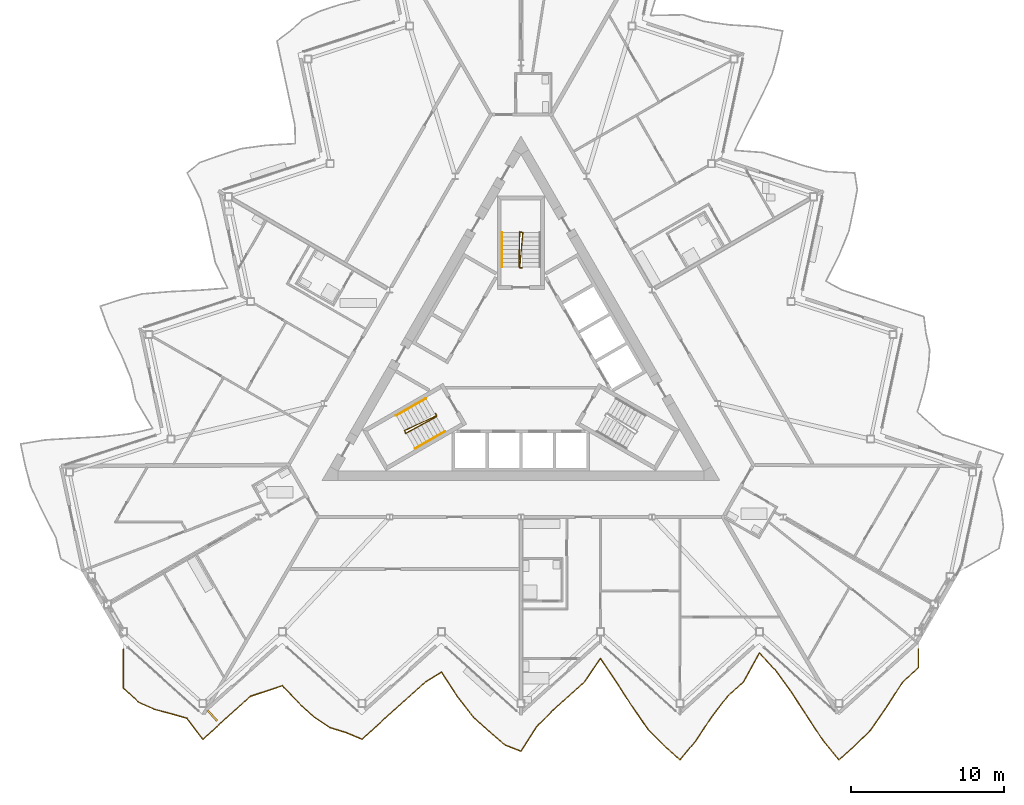
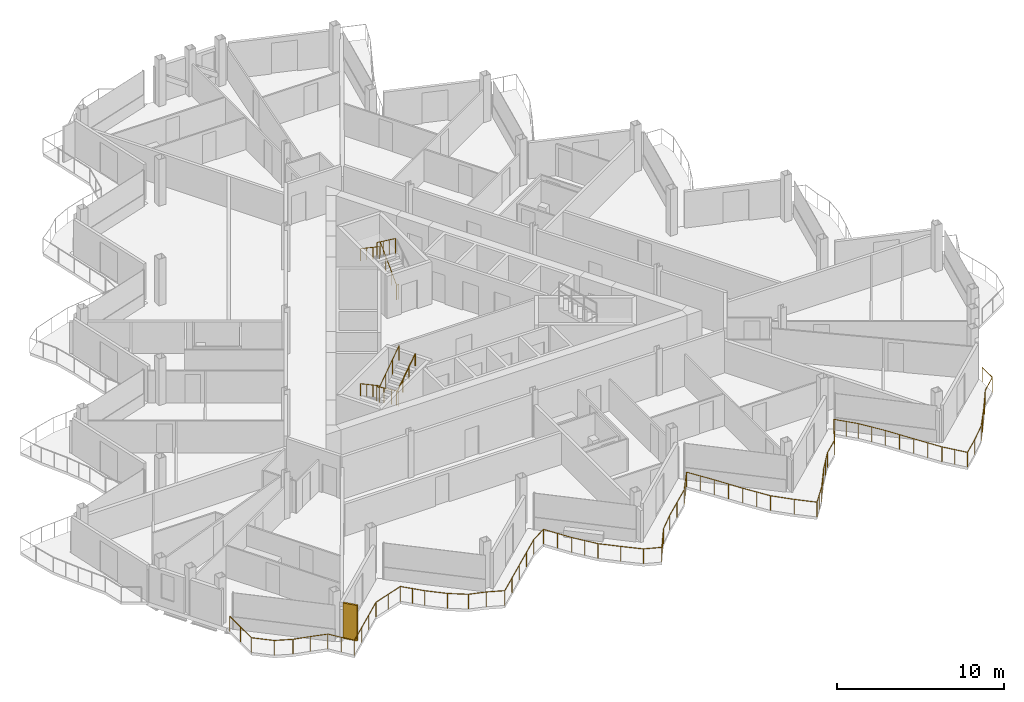
# One storey, part 21 of 26: 6 railings, 1 shading device.
"""IFC4 building model written with IfcOpenShell, lengths in metres."""

from ifc_helpers import new_model, si_unit, direction, frame, origin, origin_2d, place, context, subcontext, project, spatial, rectangle, circle, extrude, material, layer, layer_set, type_object, element, save


model = new_model("IFC4")

# Units and contexts
model_context = context("Model", 3, precision=1e-05, world=origin(), true_north=direction((0.0, 1.0)))
body_context = subcontext(model_context, "Body", "Model", "MODEL_VIEW")
ifc_project = project(units=[si_unit("LENGTHUNIT", "METRE"), si_unit("AREAUNIT", "SQUARE_METRE"), si_unit("VOLUMEUNIT", "CUBIC_METRE"), si_unit("PLANEANGLEUNIT", "RADIAN"), si_unit("MASSUNIT", "GRAM", prefix="KILO")], contexts=[model_context])

# Site, building, storey
site_placement = place(None, origin())
site = spatial("IfcSite", under=ifc_project, at=site_placement, CompositionType="ELEMENT")
building_placement = place(site_placement, origin())
building = spatial("IfcBuilding", under=site, at=building_placement, Name="Cormorant Prow Tower", CompositionType="ELEMENT")
storey_placement = place(building_placement, frame((0.0, 0.0, 367.800048828125)))
storey = spatial("IfcBuildingStorey", under=building, at=storey_placement, Name="L82", CompositionType="ELEMENT", Elevation=367.800048828125)

# Railings
ifc_material_1 = material(Name="Aluminium 6063-T6", Category="aluminium")
railing_type_1 = type_object("IfcRailingType", Name="Balcony guard 1100", PredefinedType="GUARDRAIL", material=ifc_material_1)
railing_1_placement = place(storey_placement, frame((-26.0, -18.537353515625, 0.0)))
element("IfcRailing", 1, at=railing_1_placement, inside=storey, type_object=railing_type_1, Name="Balcony guard S", PredefinedType="GUARDRAIL", context=body_context, shape_type="SweptSolid", body=[
    extrude(circle(Radius=0.02392578125, at=origin_2d()), frame((0.0, 0.0, 1.076171875), z_axis=(0.0, -1.0, 0.0), x_axis=(1.0, 0.0, 0.0)), (0.0, 0.0, 1.0), 2.570068359375),
    extrude(circle(Radius=0.02392578125, at=origin_2d()), frame((0.0, -2.570068359375, 1.076171875), z_axis=(0.743207391022, -0.669061113749, 0.0), x_axis=(0.669061113749, 0.743207391022, 0.0)), (0.0, 0.0, 1.0), 1.3994140625),
    extrude(circle(Radius=0.02392578125, at=origin_2d()), frame((1.0400390625, -3.50634765625, 1.076171875), z_axis=(0.916374427573, -0.400322255801, 0.0), x_axis=(0.400322255801, 0.916374427573, 0.0)), (0.0, 0.0, 1.0), 1.135009765625),
    extrude(circle(Radius=0.02392578125, at=origin_2d()), frame((2.080078125, -3.960693359375, 1.076171875), z_axis=(0.967634155285, -0.252357170545, 0.0), x_axis=(0.252357170545, 0.967634155285, 0.0)), (0.0, 0.0, 1.0), 1.07470703125),
    extrude(circle(Radius=0.02392578125, at=origin_2d()), frame((3.1201171875, -4.23193359375, 1.076171875), z_axis=(0.960857090041, -0.277044495555, 0.0), x_axis=(0.277044495555, 0.960857090041, 0.0)), (0.0, 0.0, 1.0), 1.082275390625),
    extrude(circle(Radius=0.02392578125, at=origin_2d()), frame((4.159912109375, -4.53173828125, 1.076171875), z_axis=(0.604554194416, -0.796564012502, 0.0), x_axis=(0.796564012502, 0.604554194416, 0.0)), (0.0, 0.0, 1.0), 1.720458984375),
    extrude(circle(Radius=0.02392578125, at=origin_2d()), frame((5.199951171875, -5.902099609375, 1.076171875), z_axis=(0.743120643554, 0.66915746213, 0.0), x_axis=(-0.66915746213, 0.743120643554, 0.0)), (0.0, 0.0, 1.0), 1.399658203125),
    extrude(circle(Radius=0.02392578125, at=origin_2d()), frame((6.239990234375, -4.965576171875, 1.076171875), z_axis=(0.743207391022, 0.669061113749, 0.0), x_axis=(-0.669061113749, 0.743207391022, 0.0)), (0.0, 0.0, 1.0), 1.3994140625),
    extrude(circle(Radius=0.02392578125, at=origin_2d()), frame((7.280029296875, -4.029296875, 1.076171875), z_axis=(0.743120643554, 0.66915746213, 0.0), x_axis=(-0.66915746213, 0.743120643554, 0.0)), (0.0, 0.0, 1.0), 1.399658203125),
    extrude(circle(Radius=0.02392578125, at=origin_2d()), frame((8.320068359375, -3.0927734375, 1.076171875), z_axis=(0.948616472905, 0.316428170891, 0.0), x_axis=(-0.316428170891, 0.948616472905, 0.0)), (0.0, 0.0, 1.0), 1.096435546875),
    extrude(circle(Radius=0.02392578125, at=origin_2d()), frame((9.360107421875, -2.745849609375, 1.076171875), z_axis=(0.949394211845, 0.314086979218, 0.0), x_axis=(-0.314086979218, 0.949394211845, 0.0)), (0.0, 0.0, 1.0), 1.09521484375),
    extrude(circle(Radius=0.02392578125, at=origin_2d()), frame((10.39990234375, -2.40185546875, 1.076171875), z_axis=(0.68554538763, -0.728029890526, 0.0), x_axis=(0.728029890526, 0.68554538763, 0.0)), (0.0, 0.0, 1.0), 1.51708984375),
    extrude(circle(Radius=0.02392578125, at=origin_2d()), frame((11.43994140625, -3.50634765625, 1.076171875), z_axis=(0.743120643554, -0.66915746213, 0.0), x_axis=(0.66915746213, 0.743120643554, 0.0)), (0.0, 0.0, 1.0), 1.399658203125),
    extrude(circle(Radius=0.02392578125, at=origin_2d()), frame((12.47998046875, -4.44287109375, 1.076171875), z_axis=(0.829344874262, -0.558737039702, 0.0), x_axis=(0.558737039702, 0.829344874262, 0.0)), (0.0, 0.0, 1.0), 1.254150390625),
    extrude(circle(Radius=0.02392578125, at=origin_2d()), frame((13.52001953125, -5.1435546875, 1.076171875), z_axis=(0.955448650181, -0.295157376441, 0.0), x_axis=(0.295157376441, 0.955448650181, 0.0)), (0.0, 0.0, 1.0), 1.088623046875),
    extrude(circle(Radius=0.02392578125, at=origin_2d()), frame((14.56005859375, -5.46484375, 1.076171875), z_axis=(0.92184298234, -0.387563563702, 0.0), x_axis=(0.387563563702, 0.92184298234, 0.0)), (0.0, 0.0, 1.0), 1.128173828125),
    extrude(circle(Radius=0.02392578125, at=origin_2d()), frame((15.60009765625, -5.902099609375, 1.076171875), z_axis=(0.74304251841, 0.669244212403, 0.0), x_axis=(-0.669244212403, 0.74304251841, 0.0)), (0.0, 0.0, 1.0), 1.3994140625),
    extrude(circle(Radius=0.02392578125, at=origin_2d()), frame((16.639892578125, -4.965576171875, 1.076171875), z_axis=(0.743207391022, 0.669061113749, 0.0), x_axis=(-0.669061113749, 0.743207391022, 0.0)), (0.0, 0.0, 1.0), 1.3994140625),
    extrude(circle(Radius=0.02392578125, at=origin_2d()), frame((17.679931640625, -4.029296875, 1.076171875), z_axis=(0.743120643554, 0.66915746213, 0.0), x_axis=(-0.66915746213, 0.743120643554, 0.0)), (0.0, 0.0, 1.0), 1.399658203125),
    extrude(circle(Radius=0.02392578125, at=origin_2d()), frame((18.719970703125, -3.0927734375, 1.076171875), z_axis=(0.743207391022, 0.669061113749, 0.0), x_axis=(-0.669061113749, 0.743207391022, 0.0)), (0.0, 0.0, 1.0), 1.3994140625),
    extrude(circle(Radius=0.02392578125, at=origin_2d()), frame((19.760009765625, -2.156494140625, 1.076171875), z_axis=(0.850992323879, 0.525178126638, 0.0), x_axis=(-0.525178126638, 0.850992323879, 0.0)), (0.0, 0.0, 1.0), 1.22216796875),
    extrude(circle(Radius=0.02392578125, at=origin_2d()), frame((20.800048828125, -1.5146484375, 1.076171875), z_axis=(0.547384374412, -0.836881321724, 0.0), x_axis=(0.836881321724, 0.547384374412, 0.0)), (0.0, 0.0, 1.0), 1.89990234375),
    extrude(circle(Radius=0.02392578125, at=origin_2d()), frame((21.840087890625, -3.104736328125, 1.076171875), z_axis=(0.613581490625, -0.789631404113, 0.0), x_axis=(0.789631404113, 0.613581490625, 0.0)), (0.0, 0.0, 1.0), 1.694580078125),
    extrude(circle(Radius=0.02392578125, at=origin_2d()), frame((22.8798828125, -4.44287109375, 1.076171875), z_axis=(0.743207391022, -0.669061113749, 0.0), x_axis=(0.669061113749, 0.743207391022, 0.0)), (0.0, 0.0, 1.0), 1.3994140625),
    extrude(circle(Radius=0.02392578125, at=origin_2d()), frame((23.919921875, -5.379150390625, 1.076171875), z_axis=(0.755601290765, -0.655031823192, 0.0), x_axis=(0.655031823192, 0.755601290765, 0.0)), (0.0, 0.0, 1.0), 1.37646484375),
    extrude(circle(Radius=0.02392578125, at=origin_2d()), frame((24.9599609375, -6.28076171875, 1.076171875), z_axis=(0.931610131037, -0.363459163799, 0.0), x_axis=(0.363459163799, 0.931610131037, 0.0)), (0.0, 0.0, 1.0), 1.116455078125),
    extrude(circle(Radius=0.02392578125, at=origin_2d()), frame((26.0, -6.6865234375, 1.076171875), z_axis=(0.54270708982, 0.839922028916, 0.0), x_axis=(-0.839922028916, 0.54270708982, 0.0)), (0.0, 0.0, 1.0), 1.91650390625),
    extrude(circle(Radius=0.02392578125, at=origin_2d()), frame((27.0400390625, -5.076904296875, 1.076171875), z_axis=(0.704538672228, 0.709665596838, 0.0), x_axis=(-0.709665596838, 0.704538672228, 0.0)), (0.0, 0.0, 1.0), 1.476318359375),
    extrude(circle(Radius=0.02392578125, at=origin_2d()), frame((28.080078125, -4.029296875, 1.076171875), z_axis=(0.743120643554, 0.66915746213, 0.0), x_axis=(-0.66915746213, 0.743120643554, 0.0)), (0.0, 0.0, 1.0), 1.399658203125),
    extrude(circle(Radius=0.02392578125, at=origin_2d()), frame((29.1201171875, -3.0927734375, 1.076171875), z_axis=(0.743129279254, 0.669147871786, 0.0), x_axis=(-0.669147871786, 0.743129279254, 0.0)), (0.0, 0.0, 1.0), 1.399169921875),
    extrude(circle(Radius=0.02392578125, at=origin_2d()), frame((30.159912109375, -2.156494140625, 1.076171875), z_axis=(0.563152221861, 0.826353178135, 0.0), x_axis=(-0.826353178135, 0.563152221861, 0.0)), (0.0, 0.0, 1.0), 1.846923828125),
    extrude(circle(Radius=0.02392578125, at=origin_2d()), frame((31.199951171875, -0.63037109375, 1.076171875), z_axis=(0.563152221861, -0.826353178135, 0.0), x_axis=(0.826353178135, 0.563152221861, 0.0)), (0.0, 0.0, 1.0), 1.846923828125),
    extrude(circle(Radius=0.02392578125, at=origin_2d()), frame((32.239990234375, -2.156494140625, 1.076171875), z_axis=(0.541547631663, -0.840670067649, 0.0), x_axis=(0.840670067649, 0.541547631663, 0.0)), (0.0, 0.0, 1.0), 1.92041015625),
    extrude(circle(Radius=0.02392578125, at=origin_2d()), frame((33.280029296875, -3.77099609375, 1.076171875), z_axis=(0.569043261498, -0.822307586334, 0.0), x_axis=(0.822307586334, 0.569043261498, 0.0)), (0.0, 0.0, 1.0), 1.82763671875),
    extrude(circle(Radius=0.02392578125, at=origin_2d()), frame((34.320068359375, -5.27392578125, 1.076171875), z_axis=(0.706526063762, -0.707687022083, 0.0), x_axis=(0.707687022083, 0.706526063762, 0.0)), (0.0, 0.0, 1.0), 1.47216796875),
    extrude(circle(Radius=0.02392578125, at=origin_2d()), frame((35.360107421875, -6.315673828125, 1.076171875), z_axis=(0.743129279254, -0.669147871786, 0.0), x_axis=(0.669147871786, 0.743129279254, 0.0)), (0.0, 0.0, 1.0), 1.399169921875),
    extrude(circle(Radius=0.02392578125, at=origin_2d()), frame((36.39990234375, -7.251953125, 1.076171875), z_axis=(0.641442431964, 0.767171171562, 0.0), x_axis=(-0.767171171562, 0.641442431964, 0.0)), (0.0, 0.0, 1.0), 1.621337890625),
    extrude(circle(Radius=0.02392578125, at=origin_2d()), frame((37.43994140625, -6.008056640625, 1.076171875), z_axis=(0.552065689111, 0.833800620596, 0.0), x_axis=(-0.833800620596, 0.552065689111, 0.0)), (0.0, 0.0, 1.0), 1.8837890625),
    extrude(circle(Radius=0.02392578125, at=origin_2d()), frame((38.47998046875, -4.437255859375, 1.076171875), z_axis=(0.611860282044, 0.790965862258, 0.0), x_axis=(-0.790965862258, 0.611860282044, 0.0)), (0.0, 0.0, 1.0), 1.69970703125),
    extrude(circle(Radius=0.02392578125, at=origin_2d()), frame((39.52001953125, -3.0927734375, 1.076171875), z_axis=(0.743207391022, 0.669061113749, 0.0), x_axis=(-0.669061113749, 0.743207391022, 0.0)), (0.0, 0.0, 1.0), 1.3994140625),
    extrude(circle(Radius=0.02392578125, at=origin_2d()), frame((40.56005859375, -2.156494140625, 1.076171875), z_axis=(0.48280168143, 0.875729716527, 0.0), x_axis=(-0.875729716527, 0.48280168143, 0.0)), (0.0, 0.0, 1.0), 2.154052734375),
    extrude(circle(Radius=0.02392578125, at=origin_2d()), frame((41.60009765625, -0.27001953125, 1.076171875), z_axis=(0.682015798923, -0.73133743923, 0.0), x_axis=(0.73133743923, 0.682015798923, 0.0)), (0.0, 0.0, 1.0), 1.524658203125),
    extrude(circle(Radius=0.02392578125, at=origin_2d()), frame((42.639892578125, -1.385009765625, 1.076171875), z_axis=(0.588073196089, -0.80880771265, 0.0), x_axis=(0.80880771265, 0.588073196089, 0.0)), (0.0, 0.0, 1.0), 1.7685546875),
    extrude(circle(Radius=0.02392578125, at=origin_2d()), frame((43.679931640625, -2.8154296875, 1.076171875), z_axis=(0.54486246552, -0.838525428158, 0.0), x_axis=(0.838525428158, 0.54486246552, 0.0)), (0.0, 0.0, 1.0), 1.90869140625),
    extrude(circle(Radius=0.02392578125, at=origin_2d()), frame((44.719970703125, -4.416015625, 1.076171875), z_axis=(0.551053037162, -0.834470221299, 0.0), x_axis=(0.834470221299, 0.551053037162, 0.0)), (0.0, 0.0, 1.0), 1.887451171875),
    extrude(circle(Radius=0.02392578125, at=origin_2d()), frame((45.760009765625, -5.990966796875, 1.076171875), z_axis=(0.636282967316, -0.771455757321, 0.0), x_axis=(0.771455757321, 0.636282967316, 0.0)), (0.0, 0.0, 1.0), 1.634521484375),
    extrude(circle(Radius=0.02392578125, at=origin_2d()), frame((46.800048828125, -7.251953125, 1.076171875), z_axis=(0.743207391022, 0.669061113749, 0.0), x_axis=(-0.669061113749, 0.743207391022, 0.0)), (0.0, 0.0, 1.0), 1.3994140625),
    extrude(circle(Radius=0.02392578125, at=origin_2d()), frame((47.840087890625, -6.315673828125, 1.076171875), z_axis=(0.711186061017, 0.703003831153, 0.0), x_axis=(-0.703003831153, 0.711186061017, 0.0)), (0.0, 0.0, 1.0), 1.462158203125),
    extrude(circle(Radius=0.02392578125, at=origin_2d()), frame((48.8798828125, -5.287841796875, 1.076171875), z_axis=(0.570671927057, 0.821178148558, 0.0), x_axis=(-0.821178148558, 0.570671927057, 0.0)), (0.0, 0.0, 1.0), 1.822509765625),
    extrude(circle(Radius=0.02392578125, at=origin_2d()), frame((49.919921875, -3.791259765625, 1.076171875), z_axis=(0.541663400819, 0.840595479534, 0.0), x_axis=(-0.840595479534, 0.541663400819, 0.0)), (0.0, 0.0, 1.0), 1.920166015625),
    extrude(circle(Radius=0.02392578125, at=origin_2d()), frame((50.9599609375, -2.17724609375, 1.076171875), z_axis=(0.735776085654, 0.677224890106, 0.0), x_axis=(-0.677224890106, 0.735776085654, 0.0)), (0.0, 0.0, 1.0), 1.41357421875),
    extrude(circle(Radius=0.02392578125, at=origin_2d()), frame((52.0, -1.219970703125, 1.076171875), z_axis=(0.0, 1.0, 0.0), x_axis=(-1.0, 0.0, 0.0)), (0.0, 0.0, 1.0), 1.219970703125),
    extrude(circle(Radius=0.02099609375, at=origin_2d()), origin(), (0.0, 0.0, 1.0), 1.052001953125),
    extrude(circle(Radius=0.02099609375, at=origin_2d()), frame((0.0, -1.28515625, 0.0)), (0.0, 0.0, 1.0), 1.052001953125),
    extrude(circle(Radius=0.02099609375, at=origin_2d()), frame((0.0, -2.570068359375, 0.0)), (0.0, 0.0, 1.0), 1.052001953125),
    extrude(circle(Radius=0.02099609375, at=origin_2d()), frame((1.0400390625, -3.50634765625, 0.0)), (0.0, 0.0, 1.0), 1.052001953125),
    extrude(circle(Radius=0.02099609375, at=origin_2d()), frame((2.080078125, -3.960693359375, 0.0)), (0.0, 0.0, 1.0), 1.052001953125),
    extrude(circle(Radius=0.02099609375, at=origin_2d()), frame((3.1201171875, -4.23193359375, 0.0)), (0.0, 0.0, 1.0), 1.052001953125),
    extrude(circle(Radius=0.02099609375, at=origin_2d()), frame((4.159912109375, -4.53173828125, 0.0)), (0.0, 0.0, 1.0), 1.052001953125),
    extrude(circle(Radius=0.02099609375, at=origin_2d()), frame((4.679931640625, -5.216796875, 0.0)), (0.0, 0.0, 1.0), 1.052001953125),
    extrude(circle(Radius=0.02099609375, at=origin_2d()), frame((5.199951171875, -5.902099609375, 0.0)), (0.0, 0.0, 1.0), 1.052001953125),
    extrude(circle(Radius=0.02099609375, at=origin_2d()), frame((6.239990234375, -4.965576171875, 0.0)), (0.0, 0.0, 1.0), 1.052001953125),
    extrude(circle(Radius=0.02099609375, at=origin_2d()), frame((7.280029296875, -4.029296875, 0.0)), (0.0, 0.0, 1.0), 1.052001953125),
    extrude(circle(Radius=0.02099609375, at=origin_2d()), frame((8.320068359375, -3.0927734375, 0.0)), (0.0, 0.0, 1.0), 1.052001953125),
    extrude(circle(Radius=0.02099609375, at=origin_2d()), frame((9.360107421875, -2.745849609375, 0.0)), (0.0, 0.0, 1.0), 1.052001953125),
    extrude(circle(Radius=0.02099609375, at=origin_2d()), frame((10.39990234375, -2.40185546875, 0.0)), (0.0, 0.0, 1.0), 1.052001953125),
    extrude(circle(Radius=0.02099609375, at=origin_2d()), frame((10.919921875, -2.9541015625, 0.0)), (0.0, 0.0, 1.0), 1.052001953125),
    extrude(circle(Radius=0.02099609375, at=origin_2d()), frame((11.43994140625, -3.50634765625, 0.0)), (0.0, 0.0, 1.0), 1.052001953125),
    extrude(circle(Radius=0.02099609375, at=origin_2d()), frame((12.47998046875, -4.44287109375, 0.0)), (0.0, 0.0, 1.0), 1.052001953125),
    extrude(circle(Radius=0.02099609375, at=origin_2d()), frame((13.52001953125, -5.1435546875, 0.0)), (0.0, 0.0, 1.0), 1.052001953125),
    extrude(circle(Radius=0.02099609375, at=origin_2d()), frame((14.56005859375, -5.46484375, 0.0)), (0.0, 0.0, 1.0), 1.052001953125),
    extrude(circle(Radius=0.02099609375, at=origin_2d()), frame((15.60009765625, -5.902099609375, 0.0)), (0.0, 0.0, 1.0), 1.052001953125),
    extrude(circle(Radius=0.02099609375, at=origin_2d()), frame((16.639892578125, -4.965576171875, 0.0)), (0.0, 0.0, 1.0), 1.052001953125),
    extrude(circle(Radius=0.02099609375, at=origin_2d()), frame((17.679931640625, -4.029296875, 0.0)), (0.0, 0.0, 1.0), 1.052001953125),
    extrude(circle(Radius=0.02099609375, at=origin_2d()), frame((18.719970703125, -3.0927734375, 0.0)), (0.0, 0.0, 1.0), 1.052001953125),
    extrude(circle(Radius=0.02099609375, at=origin_2d()), frame((19.760009765625, -2.156494140625, 0.0)), (0.0, 0.0, 1.0), 1.052001953125),
    extrude(circle(Radius=0.02099609375, at=origin_2d()), frame((20.800048828125, -1.5146484375, 0.0)), (0.0, 0.0, 1.0), 1.052001953125),
    extrude(circle(Radius=0.02099609375, at=origin_2d()), frame((21.320068359375, -2.3095703125, 0.0)), (0.0, 0.0, 1.0), 1.052001953125),
    extrude(circle(Radius=0.02099609375, at=origin_2d()), frame((21.840087890625, -3.104736328125, 0.0)), (0.0, 0.0, 1.0), 1.052001953125),
    extrude(circle(Radius=0.02099609375, at=origin_2d()), frame((22.35986328125, -3.77392578125, 0.0)), (0.0, 0.0, 1.0), 1.052001953125),
    extrude(circle(Radius=0.02099609375, at=origin_2d()), frame((22.8798828125, -4.44287109375, 0.0)), (0.0, 0.0, 1.0), 1.052001953125),
    extrude(circle(Radius=0.02099609375, at=origin_2d()), frame((23.919921875, -5.379150390625, 0.0)), (0.0, 0.0, 1.0), 1.052001953125),
    extrude(circle(Radius=0.02099609375, at=origin_2d()), frame((24.9599609375, -6.28076171875, 0.0)), (0.0, 0.0, 1.0), 1.052001953125),
    extrude(circle(Radius=0.02099609375, at=origin_2d()), frame((26.0, -6.6865234375, 0.0)), (0.0, 0.0, 1.0), 1.052001953125),
    extrude(circle(Radius=0.02099609375, at=origin_2d()), frame((26.52001953125, -5.8818359375, 0.0)), (0.0, 0.0, 1.0), 1.052001953125),
    extrude(circle(Radius=0.02099609375, at=origin_2d()), frame((27.0400390625, -5.076904296875, 0.0)), (0.0, 0.0, 1.0), 1.052001953125),
    extrude(circle(Radius=0.02099609375, at=origin_2d()), frame((28.080078125, -4.029296875, 0.0)), (0.0, 0.0, 1.0), 1.052001953125),
    extrude(circle(Radius=0.02099609375, at=origin_2d()), frame((29.1201171875, -3.0927734375, 0.0)), (0.0, 0.0, 1.0), 1.052001953125),
    extrude(circle(Radius=0.02099609375, at=origin_2d()), frame((30.159912109375, -2.156494140625, 0.0)), (0.0, 0.0, 1.0), 1.052001953125),
    extrude(circle(Radius=0.02099609375, at=origin_2d()), frame((30.679931640625, -1.3935546875, 0.0)), (0.0, 0.0, 1.0), 1.052001953125),
    extrude(circle(Radius=0.02099609375, at=origin_2d()), frame((31.199951171875, -0.63037109375, 0.0)), (0.0, 0.0, 1.0), 1.052001953125),
    extrude(circle(Radius=0.02099609375, at=origin_2d()), frame((31.719970703125, -1.3935546875, 0.0)), (0.0, 0.0, 1.0), 1.052001953125),
    extrude(circle(Radius=0.02099609375, at=origin_2d()), frame((32.239990234375, -2.156494140625, 0.0)), (0.0, 0.0, 1.0), 1.052001953125),
    extrude(circle(Radius=0.02099609375, at=origin_2d()), frame((32.760009765625, -2.9638671875, 0.0)), (0.0, 0.0, 1.0), 1.052001953125),
    extrude(circle(Radius=0.02099609375, at=origin_2d()), frame((33.280029296875, -3.77099609375, 0.0)), (0.0, 0.0, 1.0), 1.052001953125),
    extrude(circle(Radius=0.02099609375, at=origin_2d()), frame((33.800048828125, -4.5224609375, 0.0)), (0.0, 0.0, 1.0), 1.052001953125),
    extrude(circle(Radius=0.02099609375, at=origin_2d()), frame((34.320068359375, -5.27392578125, 0.0)), (0.0, 0.0, 1.0), 1.052001953125),
    extrude(circle(Radius=0.02099609375, at=origin_2d()), frame((35.360107421875, -6.315673828125, 0.0)), (0.0, 0.0, 1.0), 1.052001953125),
    extrude(circle(Radius=0.02099609375, at=origin_2d()), frame((36.39990234375, -7.251953125, 0.0)), (0.0, 0.0, 1.0), 1.052001953125),
    extrude(circle(Radius=0.02099609375, at=origin_2d()), frame((36.919921875, -6.6298828125, 0.0)), (0.0, 0.0, 1.0), 1.052001953125),
    extrude(circle(Radius=0.02099609375, at=origin_2d()), frame((37.43994140625, -6.008056640625, 0.0)), (0.0, 0.0, 1.0), 1.052001953125),
    extrude(circle(Radius=0.02099609375, at=origin_2d()), frame((37.9599609375, -5.22265625, 0.0)), (0.0, 0.0, 1.0), 1.052001953125),
    extrude(circle(Radius=0.02099609375, at=origin_2d()), frame((38.47998046875, -4.437255859375, 0.0)), (0.0, 0.0, 1.0), 1.052001953125),
    extrude(circle(Radius=0.02099609375, at=origin_2d()), frame((39.0, -3.76513671875, 0.0)), (0.0, 0.0, 1.0), 1.052001953125),
    extrude(circle(Radius=0.02099609375, at=origin_2d()), frame((39.52001953125, -3.0927734375, 0.0)), (0.0, 0.0, 1.0), 1.052001953125),
    extrude(circle(Radius=0.02099609375, at=origin_2d()), frame((40.56005859375, -2.156494140625, 0.0)), (0.0, 0.0, 1.0), 1.052001953125),
    extrude(circle(Radius=0.02099609375, at=origin_2d()), frame((41.080078125, -1.21337890625, 0.0)), (0.0, 0.0, 1.0), 1.052001953125),
    extrude(circle(Radius=0.02099609375, at=origin_2d()), frame((41.60009765625, -0.27001953125, 0.0)), (0.0, 0.0, 1.0), 1.052001953125),
    extrude(circle(Radius=0.02099609375, at=origin_2d()), frame((42.1201171875, -0.82763671875, 0.0)), (0.0, 0.0, 1.0), 1.052001953125),
    extrude(circle(Radius=0.02099609375, at=origin_2d()), frame((42.639892578125, -1.385009765625, 0.0)), (0.0, 0.0, 1.0), 1.052001953125),
    extrude(circle(Radius=0.02099609375, at=origin_2d()), frame((43.159912109375, -2.10009765625, 0.0)), (0.0, 0.0, 1.0), 1.052001953125),
    extrude(circle(Radius=0.02099609375, at=origin_2d()), frame((43.679931640625, -2.8154296875, 0.0)), (0.0, 0.0, 1.0), 1.052001953125),
    extrude(circle(Radius=0.02099609375, at=origin_2d()), frame((44.199951171875, -3.61572265625, 0.0)), (0.0, 0.0, 1.0), 1.052001953125),
    extrude(circle(Radius=0.02099609375, at=origin_2d()), frame((44.719970703125, -4.416015625, 0.0)), (0.0, 0.0, 1.0), 1.052001953125),
    extrude(circle(Radius=0.02099609375, at=origin_2d()), frame((45.239990234375, -5.20361328125, 0.0)), (0.0, 0.0, 1.0), 1.052001953125),
    extrude(circle(Radius=0.02099609375, at=origin_2d()), frame((45.760009765625, -5.990966796875, 0.0)), (0.0, 0.0, 1.0), 1.052001953125),
    extrude(circle(Radius=0.02099609375, at=origin_2d()), frame((46.280029296875, -6.62158203125, 0.0)), (0.0, 0.0, 1.0), 1.052001953125),
    extrude(circle(Radius=0.02099609375, at=origin_2d()), frame((46.800048828125, -7.251953125, 0.0)), (0.0, 0.0, 1.0), 1.052001953125),
    extrude(circle(Radius=0.02099609375, at=origin_2d()), frame((47.840087890625, -6.315673828125, 0.0)), (0.0, 0.0, 1.0), 1.052001953125),
    extrude(circle(Radius=0.02099609375, at=origin_2d()), frame((48.8798828125, -5.287841796875, 0.0)), (0.0, 0.0, 1.0), 1.052001953125),
    extrude(circle(Radius=0.02099609375, at=origin_2d()), frame((49.39990234375, -4.53955078125, 0.0)), (0.0, 0.0, 1.0), 1.052001953125),
    extrude(circle(Radius=0.02099609375, at=origin_2d()), frame((49.919921875, -3.791259765625, 0.0)), (0.0, 0.0, 1.0), 1.052001953125),
    extrude(circle(Radius=0.02099609375, at=origin_2d()), frame((50.43994140625, -2.984375, 0.0)), (0.0, 0.0, 1.0), 1.052001953125),
    extrude(circle(Radius=0.02099609375, at=origin_2d()), frame((50.9599609375, -2.17724609375, 0.0)), (0.0, 0.0, 1.0), 1.052001953125),
    extrude(circle(Radius=0.02099609375, at=origin_2d()), frame((52.0, -1.219970703125, 0.0)), (0.0, 0.0, 1.0), 1.052001953125),
    extrude(circle(Radius=0.02099609375, at=origin_2d()), frame((52.0, 0.0, 0.0)), (0.0, 0.0, 1.0), 1.052001953125),
])
ifc_material_2 = material(Name="Stainless steel", Category="steel")
railing_type_2 = type_object("IfcRailingType", Name="Stair guard 1100", PredefinedType="GUARDRAIL", material=ifc_material_2)
railing_2_placement = place(storey_placement, frame((-5.585205078125, -3.137939453125, 0.0)))
element("IfcRailing", 2, at=railing_2_placement, inside=storey, type_object=railing_type_2, Name="L82 ST1 stair guard 1", PredefinedType="GUARDRAIL", context=body_context, shape_type="SweptSolid", body=[
    extrude(circle(Radius=0.02392578125, at=origin_2d()), frame((0.0, 0.0, 1.076171875), z_axis=(0.501036270542, -0.865426285481, 0.0), x_axis=(0.865426285481, 0.501036270542, 0.0)), (0.0, 0.0, 1.0), 0.150146484375),
    extrude(circle(Radius=0.02392578125, at=origin_2d()), frame((0.0751953125, -0.1298828125, 1.076171875), z_axis=(-0.728641035543, -0.339941399566, 0.594577233152), x_axis=(0.422792438952, -0.906226546491, 0.0)), (0.0, 0.0, 1.0), 2.859130859375),
    extrude(circle(Radius=0.02392578125, at=origin_2d()), frame((-2.008056640625, -1.101806640625, 2.77587890625), z_axis=(0.275034262293, -0.961434425515, 0.0), x_axis=(0.961434425515, 0.275034262293, 0.0)), (0.0, 0.0, 1.0), 0.2060546875),
    extrude(circle(Radius=0.02392578125, at=origin_2d()), frame((-1.951416015625, -1.2998046875, 2.77587890625), z_axis=(0.704058451865, 0.386179398835, 0.595959032378), x_axis=(-0.480911908544, 0.87676891837, 0.0)), (0.0, 0.0, 1.0), 2.8525390625),
    extrude(circle(Radius=0.02099609375, at=origin_2d()), origin(), (0.0, 0.0, 1.0), 1.052001953125),
    extrude(circle(Radius=0.02099609375, at=origin_2d()), frame((0.0751953125, -0.1298828125, 0.0)), (0.0, 0.0, 1.0), 1.052001953125),
    extrude(circle(Radius=0.02099609375, at=origin_2d()), frame((-0.619140625, -0.453857421875, 0.566650390625)), (0.0, 0.0, 1.0), 1.052001953125),
    extrude(circle(Radius=0.02099609375, at=origin_2d()), frame((-1.313720703125, -0.77783203125, 1.13330078125)), (0.0, 0.0, 1.0), 1.052001953125),
    extrude(circle(Radius=0.02099609375, at=origin_2d()), frame((-2.008056640625, -1.101806640625, 1.699951171875)), (0.0, 0.0, 1.0), 1.052001953125),
    extrude(circle(Radius=0.02099609375, at=origin_2d()), frame((-1.951416015625, -1.2998046875, 1.699951171875)), (0.0, 0.0, 1.0), 1.052001953125),
    extrude(circle(Radius=0.02099609375, at=origin_2d()), frame((-1.281982421875, -0.9326171875, 2.2666015625)), (0.0, 0.0, 1.0), 1.052001953125),
    extrude(circle(Radius=0.02099609375, at=origin_2d()), frame((-0.612548828125, -0.5654296875, 2.833251953125)), (0.0, 0.0, 1.0), 1.052001953125),
    extrude(circle(Radius=0.02099609375, at=origin_2d()), frame((0.056884765625, -0.1982421875, 3.39990234375)), (0.0, 0.0, 1.0), 1.052001953125),
])
railing_3_placement = place(storey_placement, frame((0.074951171875, 6.40576171875, 0.0)))
element("IfcRailing", 3, at=railing_3_placement, inside=storey, type_object=railing_type_2, Name="L82 ST3 stair guard 1", PredefinedType="GUARDRAIL", context=body_context, shape_type="SweptSolid", body=[
    extrude(circle(Radius=0.02392578125, at=origin_2d()), frame((0.0, 0.0, 1.076171875), z_axis=(-1.0, 0.0, 0.0), x_axis=(0.0, -1.0, 0.0)), (0.0, 0.0, 1.0), 0.14990234375),
    extrude(circle(Radius=0.02392578125, at=origin_2d()), frame((-0.14990234375, 0.0, 1.076171875), z_axis=(0.069936542308, 0.800982621307, 0.594588698525), x_axis=(-0.996209839609, 0.086982500921, 0.0)), (0.0, 0.0, 1.0), 2.859130859375),
    extrude(circle(Radius=0.02392578125, at=origin_2d()), frame((0.050048828125, 2.2900390625, 2.77587890625), z_axis=(-0.970072785993, 0.242814311512, 0.0), x_axis=(-0.242814311512, -0.970072785993, 0.0)), (0.0, 0.0, 1.0), 0.2060546875),
    extrude(circle(Radius=0.02392578125, at=origin_2d()), frame((-0.14990234375, 2.340087890625, 2.77587890625), z_axis=(-0.017545750742, -0.80282508275, 0.595956402045), x_axis=(0.999761264773, -0.0218497931, 0.0)), (0.0, 0.0, 1.0), 2.8525390625),
    extrude(circle(Radius=0.02099609375, at=origin_2d()), origin(), (0.0, 0.0, 1.0), 1.052001953125),
    extrude(circle(Radius=0.02099609375, at=origin_2d()), frame((-0.14990234375, 0.0, 0.0)), (0.0, 0.0, 1.0), 1.052001953125),
    extrude(circle(Radius=0.02099609375, at=origin_2d()), frame((-0.083251953125, 0.763427734375, 0.566650390625)), (0.0, 0.0, 1.0), 1.052001953125),
    extrude(circle(Radius=0.02099609375, at=origin_2d()), frame((-0.0166015625, 1.526611328125, 1.13330078125)), (0.0, 0.0, 1.0), 1.052001953125),
    extrude(circle(Radius=0.02099609375, at=origin_2d()), frame((0.050048828125, 2.2900390625, 1.699951171875)), (0.0, 0.0, 1.0), 1.052001953125),
    extrude(circle(Radius=0.02099609375, at=origin_2d()), frame((-0.14990234375, 2.340087890625, 1.699951171875)), (0.0, 0.0, 1.0), 1.052001953125),
    extrude(circle(Radius=0.02099609375, at=origin_2d()), frame((-0.16650390625, 1.57666015625, 2.2666015625)), (0.0, 0.0, 1.0), 1.052001953125),
    extrude(circle(Radius=0.02099609375, at=origin_2d()), frame((-0.183349609375, 0.8134765625, 2.833251953125)), (0.0, 0.0, 1.0), 1.052001953125),
    extrude(circle(Radius=0.02099609375, at=origin_2d()), frame((-0.199951171875, 0.050048828125, 3.39990234375)), (0.0, 0.0, 1.0), 1.052001953125),
])
ifc_material_3 = material(Name="Stainless steel", Category="steel")
railing_type_3 = type_object("IfcRailingType", Name="Stair handrail 900", PredefinedType="HANDRAIL", material=ifc_material_3)
railing_4_placement = place(storey_placement, frame((-6.212890625, -2.150634765625, 0.188720703125)))
element("IfcRailing", 4, at=railing_4_placement, inside=storey, type_object=railing_type_3, Name="L82 ST1 stair handrail 1", PredefinedType="HANDRAIL", context=body_context, shape_type="SweptSolid", body=[
    extrude(circle(Radius=0.02392578125, at=origin_2d()), frame((0.0, 0.0, 0.8759765625), z_axis=(-0.717940317343, -0.414446543626, 0.55928147047), x_axis=(0.49994888933, -0.866054910533, 0.0)), (0.0, 0.0, 1.0), 2.7021484375),
    extrude(circle(Radius=0.02099609375, at=origin_2d()), origin(), (0.0, 0.0, 1.0), 0.851806640625),
    extrude(circle(Radius=0.02099609375, at=origin_2d()), frame((-0.646728515625, -0.373291015625, 0.503662109375)), (0.0, 0.0, 1.0), 0.851806640625),
    extrude(circle(Radius=0.02099609375, at=origin_2d()), frame((-1.293212890625, -0.74658203125, 1.007568359375)), (0.0, 0.0, 1.0), 0.851806640625),
    extrude(circle(Radius=0.02099609375, at=origin_2d()), frame((-1.93994140625, -1.119873046875, 1.51123046875)), (0.0, 0.0, 1.0), 0.851806640625),
])
railing_5_placement = place(storey_placement, frame((-6.90869140625, -5.42529296875, 1.888916015625)))
element("IfcRailing", 5, at=railing_5_placement, inside=storey, type_object=railing_type_3, Name="L82 ST1 stair handrail 2", PredefinedType="HANDRAIL", context=body_context, shape_type="SweptSolid", body=[
    extrude(circle(Radius=0.02392578125, at=origin_2d()), frame((0.0, 0.0, 0.8759765625), z_axis=(0.71790592183, 0.414569209485, 0.559234707389), x_axis=(-0.500077830873, 0.865980463445, 0.0)), (0.0, 0.0, 1.0), 2.701904296875),
    extrude(circle(Radius=0.02099609375, at=origin_2d()), origin(), (0.0, 0.0, 1.0), 0.851806640625),
    extrude(circle(Radius=0.02099609375, at=origin_2d()), frame((0.646484375, 0.373291015625, 0.503662109375)), (0.0, 0.0, 1.0), 0.851806640625),
    extrude(circle(Radius=0.02099609375, at=origin_2d()), frame((1.293212890625, 0.746826171875, 1.00732421875)), (0.0, 0.0, 1.0), 0.851806640625),
    extrude(circle(Radius=0.02099609375, at=origin_2d()), frame((1.939697265625, 1.1201171875, 1.510986328125)), (0.0, 0.0, 1.0), 0.851806640625),
])
railing_6_placement = place(storey_placement, frame((-1.243896484375, 8.69580078125, 1.888916015625)))
element("IfcRailing", 6, at=railing_6_placement, inside=storey, type_object=railing_type_3, Name="L82 ST3 stair handrail 2", PredefinedType="HANDRAIL", context=body_context, shape_type="SweptSolid", body=[
    extrude(circle(Radius=0.02392578125, at=origin_2d()), frame((0.0, 0.0, 0.8759765625), z_axis=(0.0, -0.829021472004, 0.559216772778), x_axis=(1.0, 0.0, 0.0)), (0.0, 0.0, 1.0), 2.701904296875),
    extrude(circle(Radius=0.02099609375, at=origin_2d()), origin(), (0.0, 0.0, 1.0), 0.851806640625),
    extrude(circle(Radius=0.02099609375, at=origin_2d()), frame((0.0, -0.74658203125, 0.503662109375)), (0.0, 0.0, 1.0), 0.851806640625),
    extrude(circle(Radius=0.02099609375, at=origin_2d()), frame((0.0, -1.493408203125, 1.00732421875)), (0.0, 0.0, 1.0), 0.851806640625),
    extrude(circle(Radius=0.02099609375, at=origin_2d()), frame((0.0, -2.239990234375, 1.510986328125)), (0.0, 0.0, 1.0), 0.851806640625),
])

# Shading device
ifc_material_4 = material(Name="Terracotta", Category="masonry")
ifc_layer = layer(ifc_material_4, 0.1201171875)
ifc_layer_set = layer_set([ifc_layer], Name="Terracotta")
shading_device_type = type_object("IfcShadingDeviceType", Name="Terracotta baguette fin 120x900x2600", PredefinedType="USERDEFINED", material=ifc_layer_set)
shading_device_placement = place(storey_placement, frame((-20.182373046875, -22.888916015625, 0.0), z_axis=(0.0, 0.0, 1.0), x_axis=(0.743144756574, 0.669130682884, 0.0)))
element("IfcShadingDevice", 7, at=shading_device_placement, inside=storey, type_object=shading_device_type, Name="Baguette fin S01", ObjectType="BAGUETTE", PredefinedType="USERDEFINED", context=body_context, shape_type="SweptSolid", body=[
    extrude(rectangle(XDim=0.1201171875, YDim=0.89990234375, at=origin_2d()), origin(), (0.0, 0.0, 1.0), 2.60009765625),
])

save(model, "model.ifc")
